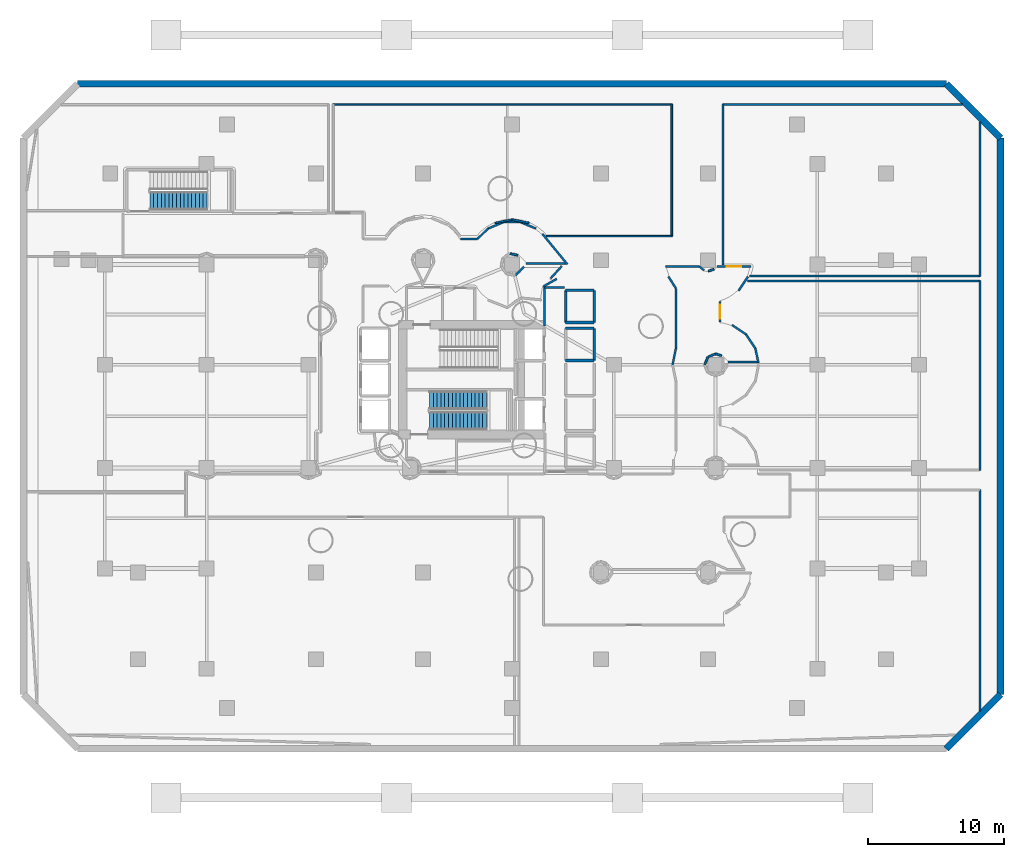
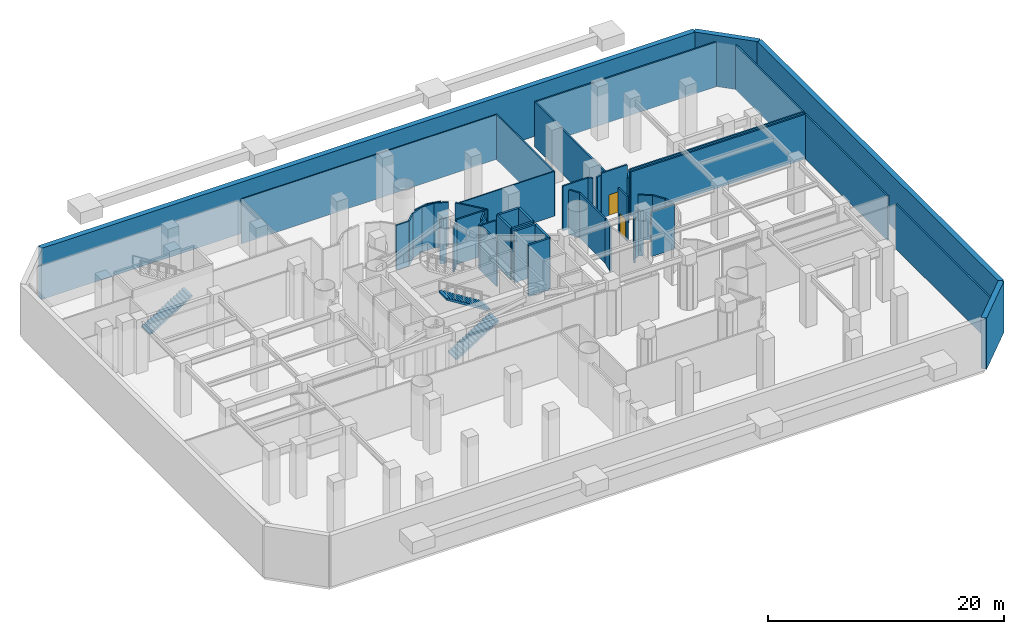
# One storey, part 6 of 11: 52 walls, 3 stair flights, 2 doors, 2 openings, 2 elements without a shape of their own.
"""IFC4 building model written with IfcOpenShell, lengths in metres."""

import ifcopenshell
import ifcopenshell.guid

model = None  # the IFC model being written
_history = None  # IfcOwnerHistory: only IFC2X3 demands one
_inside = {}  # id of a spatial element -> (the spatial element, [elements in it])
_under = {}  # id of a project, library or spatial element -> (it, [spatial elements below it])
_declared = {}  # id of a project -> (the project, [libraries it declares])
_typed = {}  # id of a type object -> (the type object, [elements of that type])
_made_of = {}  # id of a material, layer set ... -> (it, [elements and type objects made of it])


def new_model(schema):
    """Start an empty IFC model of exactly this schema.

    Asked for "IFC4X3", IfcOpenShell would pick the latest addendum, in which some entities
    have other attributes; the version numbers below select the first issue.
    IFC2X3 requires an IfcOwnerHistory on every rooted entity: one is made here for all.
    """
    global model, _history
    if schema == "IFC4X3":
        model = ifcopenshell.file(schema_version=(4, 3, 0, 0))
    else:
        model = ifcopenshell.file(schema=schema)
    _inside.clear()
    _under.clear()
    _declared.clear()
    _typed.clear()
    _made_of.clear()
    _history = None
    if model.schema == "IFC2X3":
        org = make("IfcOrganization", Name="unknown")
        user = make(
            "IfcPersonAndOrganization",
            ThePerson=make("IfcPerson", FamilyName="unknown"),
            TheOrganization=org,
        )
        app = make(
            "IfcApplication",
            ApplicationDeveloper=org,
            Version="unknown",
            ApplicationFullName="unknown",
            ApplicationIdentifier="unknown",
        )
        _history = make(
            "IfcOwnerHistory",
            OwningUser=user,
            OwningApplication=app,
            ChangeAction="ADDED",
            CreationDate=0,
        )
    return model


def make(cls, **values):
    """One entity of the class cls with the attributes given. An attribute that is None is left unset."""
    return model.create_entity(
        cls, **{name: value for name, value in values.items() if value is not None}
    )


def rooted(cls, **values):
    """An entity with a GlobalId (a new one), such as an element, a storey or a relation."""
    return make(cls, GlobalId=ifcopenshell.guid.new(), OwnerHistory=_history, **values)


def si_unit(unit_type, name, prefix=None):
    """IfcSIUnit, for example si_unit("LENGTHUNIT", "METRE", prefix="MILLI")."""
    return make("IfcSIUnit", UnitType=unit_type, Prefix=prefix, Name=name)


def assignment(units):
    """IfcUnitAssignment: the units of a project."""
    return None if units is None else make("IfcUnitAssignment", Units=units)


def point(xyz):
    """IfcCartesianPoint."""
    return None if xyz is None else make("IfcCartesianPoint", Coordinates=xyz)


def direction(xyz):
    """IfcDirection."""
    return None if xyz is None else make("IfcDirection", DirectionRatios=xyz)


def frame(location, z_axis=None, x_axis=None):
    """IfcAxis2Placement3D, a coordinate frame: its origin and axes. An axis left out is left unset."""
    return make(
        "IfcAxis2Placement3D",
        Location=point(location),
        Axis=direction(z_axis),
        RefDirection=direction(x_axis),
    )


def frame_2d(location, x_axis=None):
    """IfcAxis2Placement2D, a coordinate frame in the plane: its origin and x axis."""
    return make(
        "IfcAxis2Placement2D", Location=point(location), RefDirection=direction(x_axis)
    )


def origin():
    """The frame at (0, 0, 0) with its axes left unset."""
    return frame((0.0, 0.0, 0.0))


def place(relative_to, where):
    """IfcLocalPlacement: puts the frame where relative to a parent placement (None: the world)."""
    return make(
        "IfcLocalPlacement", PlacementRelTo=relative_to, RelativePlacement=where
    )


def context(
    kind, dimensions, precision=None, world=None, true_north=None, identifier=None
):
    """IfcGeometricRepresentationContext, for example the 3D "Model" context."""
    return make(
        "IfcGeometricRepresentationContext",
        ContextIdentifier=identifier,
        ContextType=kind,
        CoordinateSpaceDimension=dimensions,
        Precision=precision,
        WorldCoordinateSystem=world,
        TrueNorth=true_north,
    )


def subcontext(parent, identifier, kind, view, scale=None):
    """IfcGeometricRepresentationSubContext, for example "Body" below "Model"."""
    return make(
        "IfcGeometricRepresentationSubContext",
        ContextIdentifier=identifier,
        ContextType=kind,
        ParentContext=parent,
        TargetScale=scale,
        TargetView=view,
    )


def project(units=None, contexts=None):
    """IfcProject with its units and contexts."""
    return rooted(
        "IfcProject",
        Name="project",
        RepresentationContexts=contexts,
        UnitsInContext=assignment(units),
    )


def spatial(cls, under=None, at=None, **own):
    """A site, building, storey or space (cls), placed at a placement, below another one or the project."""
    s = rooted(cls, ObjectPlacement=at, **own)
    if under is not None:
        _under.setdefault(under.id(), (under, []))[1].append(s)
    return s


def polyline(points):
    """IfcPolyline through the points."""
    return make("IfcPolyline", Points=[point(p) for p in points])


def profile(cls, at=None, kind="AREA", **sizes):
    """A parametric profile (cls). Its sizes go by their IFC names, for example OverallWidth=200.0."""
    return make(cls, ProfileType=kind, Position=at, **sizes)


def rectangle(**sizes):
    """IfcRectangleProfileDef."""
    return profile("IfcRectangleProfileDef", **sizes)


def outline(outer, holes=None, kind="AREA"):
    """IfcArbitraryClosedProfileDef: a profile drawn as a closed curve; with holes, ...WithVoids."""
    if holes is None:
        return make("IfcArbitraryClosedProfileDef", ProfileType=kind, OuterCurve=outer)
    return make(
        "IfcArbitraryProfileDefWithVoids",
        ProfileType=kind,
        OuterCurve=outer,
        InnerCurves=holes,
    )


def extrude(swept, where, along, depth):
    """IfcExtrudedAreaSolid: the profile swept, set in the frame where, extruded along a direction by depth."""
    return make(
        "IfcExtrudedAreaSolid",
        SweptArea=swept,
        Position=where,
        ExtrudedDirection=direction(along),
        Depth=depth,
    )


def shape(context_of_items, identifier, shape_type, items):
    """IfcShapeRepresentation: the items that make up one representation, for example the "Body"."""
    return make(
        "IfcShapeRepresentation",
        ContextOfItems=context_of_items,
        RepresentationIdentifier=identifier,
        RepresentationType=shape_type,
        Items=items,
    )


def material(Name=None, Category=None):
    """IfcMaterial."""
    return make("IfcMaterial", Name=Name, Category=Category)


def layer(
    of_material, thickness, ventilated=None, Name=None, Category=None, Priority=None
):
    """IfcMaterialLayer: one layer of a wall or slab, of a material (None: an air gap)."""
    return make(
        "IfcMaterialLayer",
        Material=of_material,
        LayerThickness=thickness,
        IsVentilated=ventilated,
        Name=Name,
        Category=Category,
        Priority=Priority,
    )


def layer_set(layers, Name=None):
    """IfcMaterialLayerSet."""
    return make("IfcMaterialLayerSet", MaterialLayers=layers, LayerSetName=Name)


def made_of(thing, what):
    """Note that an element or type object is made of a material, layer set ...; save() writes the relation."""
    if what is not None:
        _made_of.setdefault(what.id(), (what, []))[1].append(thing)
    return thing


def type_object(cls, material=None, **own):
    """A type object (cls), such as IfcWallType, which elements share."""
    return made_of(rooted(cls, **own), material)


def element(
    cls,
    number,
    at=None,
    inside=None,
    cuts=None,
    type_object=None,
    material=None,
    context=None,
    identifier="Body",
    shape_type=None,
    held_by="IfcProductDefinitionShape",
    body=None,
    shapes=None,
    **own,
):
    """One element of the class cls, such as IfcWall. Its Tag is "e" and its number.

    at: its placement. inside: the storey or other place that contains it. cuts: it is an
    opening in that element (IfcRelVoidsElement). A single representation is given by context,
    identifier, shape_type and body (its items); several are given by shapes. held_by: the class
    of the entity that holds the representations. save() writes the other relations.
    """
    e = rooted(cls, Tag="e%d" % number, ObjectPlacement=at, **own)
    if body is not None:
        shapes = [shape(context, identifier, shape_type, body)]
    if shapes is not None:
        e.Representation = make(held_by, Representations=shapes)
    if inside is not None:
        _inside.setdefault(inside.id(), (inside, []))[1].append(e)
    if cuts is not None:
        rooted(
            "IfcRelVoidsElement", RelatingBuildingElement=cuts, RelatedOpeningElement=e
        )
    if type_object is not None:
        _typed.setdefault(type_object.id(), (type_object, []))[1].append(e)
    return made_of(e, material)


def fill(opening, filler):
    """IfcRelFillsElement: the door or window that sits in an opening."""
    return rooted(
        "IfcRelFillsElement",
        RelatingOpeningElement=opening,
        RelatedBuildingElement=filler,
    )


def aggregate(whole, parts):
    """IfcRelAggregates: a whole, such as a stair, and the parts it consists of."""
    return rooted("IfcRelAggregates", RelatingObject=whole, RelatedObjects=parts)


def save(model, path):
    """Write the relations noted so far, then the file.

    IfcRelAggregates (storeys below a building ...), IfcRelContainedInSpatialStructure (elements
    in a storey), IfcRelDefinesByType, IfcRelAssociatesMaterial and IfcRelDeclares: one each for
    every whole, place, type object, material and project.
    """
    for whole, parts in _under.values():
        aggregate(whole, parts)
    for where, things in _inside.values():
        rooted(
            "IfcRelContainedInSpatialStructure",
            RelatedElements=things,
            RelatingStructure=where,
        )
    for kind, things in _typed.values():
        rooted("IfcRelDefinesByType", RelatedObjects=things, RelatingType=kind)
    for what, things in _made_of.values():
        rooted("IfcRelAssociatesMaterial", RelatedObjects=things, RelatingMaterial=what)
    for by, libraries in _declared.values():
        rooted("IfcRelDeclares", RelatingContext=by, RelatedDefinitions=libraries)
    model.write(path)


model = new_model("IFC4")

# Units and contexts
model_context = context("Model", 3, precision=1e-05, world=origin(), true_north=direction((0.0, 1.0)))
body_context = subcontext(model_context, "Body", "Model", "MODEL_VIEW")
ifc_project = project(units=[si_unit("LENGTHUNIT", "METRE"), si_unit("AREAUNIT", "SQUARE_METRE"), si_unit("VOLUMEUNIT", "CUBIC_METRE"), si_unit("PLANEANGLEUNIT", "RADIAN"), si_unit("MASSUNIT", "GRAM", prefix="KILO")], contexts=[model_context])

# Site, building, storey
site_placement = place(None, origin())
site = spatial("IfcSite", under=ifc_project, at=site_placement, CompositionType="ELEMENT")
building_placement = place(site_placement, origin())
building = spatial("IfcBuilding", under=site, at=building_placement, Name="Qianvela Tower", CompositionType="ELEMENT")
storey_placement = place(building_placement, frame((0.0, 0.0, -5.60009765625)))
storey = spatial("IfcBuildingStorey", under=building, at=storey_placement, Name="B01", CompositionType="ELEMENT", Elevation=-5.60009765625)

# Walls
ifc_material_1 = material(Name="Fire-Rated Acoustic Gypsum Board")
ifc_layer_1 = layer(ifc_material_1, 0.14990234375)
ifc_layer_set_1 = layer_set([ifc_layer_1], Name="Fire-Rated Acoustic Gypsum Board")
wall_type_1 = type_object("IfcWallType", Name="WT-CORR-150", PredefinedType="PARTITIONING", material=ifc_layer_set_1)
wall_1_placement = place(storey_placement, frame((39.910888671875, 32.639892578125, 0.0), z_axis=(0.0, 0.0, 1.0), x_axis=(0.0, 1.0, 0.0)))
element("IfcWall", 1, at=wall_1_placement, inside=storey, type_object=wall_type_1, Name="B01 Partition 14", PredefinedType="PARTITIONING", context=body_context, shape_type="SweptSolid", body=[
    extrude(rectangle(XDim=2.880126953125, YDim=0.14990234375, at=frame_2d((1.43994140625, 0.0))), origin(), (0.0, 0.0, 1.0), 4.6201171875),
])
wall_2_placement = place(storey_placement, frame((39.8798828125, 35.489013671875, 0.0), z_axis=(0.0, 0.0, 1.0), x_axis=(1.0, 0.0, 0.0)))
element("IfcWall", 2, at=wall_2_placement, inside=storey, type_object=wall_type_1, Name="B01 Partition 15", PredefinedType="PARTITIONING", context=body_context, shape_type="SweptSolid", body=[
    extrude(rectangle(XDim=1.480224609375, YDim=0.14990234375, at=frame_2d((0.740234375, 0.0))), origin(), (0.0, 0.0, 1.0), 4.6201171875),
])
wall_3_placement = place(storey_placement, frame((33.711181640625, 39.069091796875, 0.0), z_axis=(0.0, 0.0, 1.0), x_axis=(1.0, 0.0, 0.0)))
element("IfcWall", 3, at=wall_3_placement, inside=storey, type_object=wall_type_1, Name="B01 Partition 44", PredefinedType="PARTITIONING", context=body_context, shape_type="SweptSolid", body=[
    extrude(rectangle(XDim=1.228515625, YDim=0.14990234375, at=frame_2d((0.6142578125, 0.0))), origin(), (0.0, 0.0, 1.0), 4.6201171875),
])
wall_4_placement = place(storey_placement, frame((34.961181640625, 39.077880859375, 0.0), z_axis=(0.0, 0.0, 1.0), x_axis=(0.717212292906, 0.69685473874, 0.0)))
element("IfcWall", 4, at=wall_4_placement, inside=storey, type_object=wall_type_1, Name="B01 Partition 45", PredefinedType="PARTITIONING", context=body_context, shape_type="SweptSolid", body=[
    extrude(rectangle(XDim=1.09130859375, YDim=0.14990234375, at=frame_2d((0.545654296875, 0.0))), origin(), (0.0, 0.0, 1.0), 4.6201171875),
])
wall_5_placement = place(storey_placement, frame((35.73388671875, 39.83203125, 0.0), z_axis=(0.0, 0.0, 1.0), x_axis=(0.92391915299, 0.38258776606, 0.0)))
element("IfcWall", 5, at=wall_5_placement, inside=storey, type_object=wall_type_1, Name="B01 Partition 46", PredefinedType="PARTITIONING", context=body_context, shape_type="SweptSolid", body=[
    extrude(rectangle(XDim=1.248779296875, YDim=0.14990234375, at=frame_2d((0.62451171875, 0.0))), origin(), (0.0, 0.0, 1.0), 4.6201171875),
])
wall_6_placement = place(storey_placement, frame((36.875732421875, 40.3076171875, 0.0), z_axis=(0.0, 0.0, 1.0), x_axis=(1.0, 0.0, 0.0)))
element("IfcWall", 6, at=wall_6_placement, inside=storey, type_object=wall_type_1, Name="B01 Partition 47", PredefinedType="PARTITIONING", context=body_context, shape_type="SweptSolid", body=[
    extrude(rectangle(XDim=1.24853515625, YDim=0.14990234375, at=frame_2d((0.624267578125, 0.0))), origin(), (0.0, 0.0, 1.0), 4.6201171875),
])
wall_7_placement = place(storey_placement, frame((38.1123046875, 40.309814453125, 0.0), z_axis=(0.0, 0.0, 1.0), x_axis=(0.92391915299, -0.38258776606, 0.0)))
element("IfcWall", 7, at=wall_7_placement, inside=storey, type_object=wall_type_1, Name="B01 Partition 48", PredefinedType="PARTITIONING", context=body_context, shape_type="SweptSolid", body=[
    extrude(rectangle(XDim=1.248779296875, YDim=0.14990234375, at=frame_2d((0.62451171875, 0.0))), origin(), (0.0, 0.0, 1.0), 4.6201171875),
])
wall_8_placement = place(storey_placement, frame((39.73876953125, 39.443115234375, 0.0), z_axis=(0.0, 0.0, 1.0), x_axis=(0.634417418508, -0.772990646188, 0.0)))
element("IfcWall", 8, at=wall_8_placement, inside=storey, type_object=wall_type_1, Name="B01 Partition 49", PredefinedType="PARTITIONING", context=body_context, shape_type="SweptSolid", body=[
    extrude(rectangle(XDim=2.894775390625, YDim=0.14990234375, at=frame_2d((1.447265625, 0.0))), origin(), (0.0, 0.0, 1.0), 4.6201171875),
])
wall_9_placement = place(storey_placement, frame((41.59912109375, 37.256103515625, 0.0), z_axis=(0.0, 0.0, 1.0), x_axis=(-0.999996924322, -0.002480190788, 0.0)))
element("IfcWall", 9, at=wall_9_placement, inside=storey, type_object=wall_type_1, Name="B01 Partition 50", PredefinedType="PARTITIONING", context=body_context, shape_type="SweptSolid", body=[
    extrude(rectangle(XDim=3.051513671875, YDim=0.14990234375, at=frame_2d((1.52587890625, 0.0))), origin(), (0.0, 0.0, 1.0), 4.6201171875),
])
wall_10_placement = place(storey_placement, frame((37.933837890625, 37.87060546875, 0.0), z_axis=(0.0, 0.0, 1.0), x_axis=(-0.980787220882, 0.195080566316, 0.0)))
element("IfcWall", 10, at=wall_10_placement, inside=storey, type_object=wall_type_1, Name="B01 Partition 52", PredefinedType="PARTITIONING", context=body_context, shape_type="SweptSolid", body=[
    extrude(rectangle(XDim=0.58935546875, YDim=0.14990234375, at=frame_2d((0.294677734375, 0.0))), origin(), (0.0, 0.0, 1.0), 4.6201171875),
])
wall_11_placement = place(storey_placement, frame((37.760009765625, 36.384765625, 0.0), z_axis=(0.0, 0.0, 1.0), x_axis=(0.700866130058, 0.713292834492, 0.0)))
element("IfcWall", 11, at=wall_11_placement, inside=storey, type_object=wall_type_1, Name="B01 Partition 57", PredefinedType="PARTITIONING", context=body_context, shape_type="SweptSolid", body=[
    extrude(rectangle(XDim=0.884033203125, YDim=0.14990234375, at=frame_2d((0.44189453125, 0.0))), origin(), (0.0, 0.0, 1.0), 4.6201171875),
])
wall_12_placement = place(storey_placement, frame((41.16650390625, 37.06494140625, 0.0), z_axis=(0.0, 0.0, 1.0), x_axis=(-0.671477917818, -0.741024564966, 0.0)))
element("IfcWall", 12, at=wall_12_placement, inside=storey, type_object=wall_type_1, Name="B01 Partition 59", PredefinedType="PARTITIONING", context=body_context, shape_type="SweptSolid", body=[
    extrude(rectangle(XDim=1.211181640625, YDim=0.14990234375, at=frame_2d((0.60546875, 0.0))), origin(), (0.0, 0.0, 1.0), 4.6201171875),
])
wall_13_placement = place(storey_placement, frame((40.797607421875, 36.130615234375, 0.0), z_axis=(0.0, 0.0, 1.0), x_axis=(-0.866890199367, -0.498499129629, 0.0)))
element("IfcWall", 13, at=wall_13_placement, inside=storey, type_object=wall_type_1, Name="B01 Partition 60", PredefinedType="PARTITIONING", context=body_context, shape_type="SweptSolid", body=[
    extrude(rectangle(XDim=1.146484375, YDim=0.14990234375, at=frame_2d((0.5732421875, 0.0))), origin(), (0.0, 0.0, 1.0), 4.6201171875),
])
wall_14_placement = place(storey_placement, frame((49.330322265625, 29.7939453125, 0.0), z_axis=(0.0, 0.0, 1.0), x_axis=(0.198162533944, 0.980169174245, 0.0)))
element("IfcWall", 14, at=wall_14_placement, inside=storey, type_object=wall_type_1, Name="B01 Partition 95", PredefinedType="PARTITIONING", context=body_context, shape_type="SweptSolid", body=[
    extrude(rectangle(XDim=1.261474609375, YDim=0.14990234375, at=frame_2d((0.630859375, 0.0))), origin(), (0.0, 0.0, 1.0), 4.6201171875),
])
wall_15_placement = place(storey_placement, frame((49.5810546875, 31.03662109375, 0.0), z_axis=(0.0, 0.0, 1.0), x_axis=(0.0, 1.0, 0.0)))
element("IfcWall", 15, at=wall_15_placement, inside=storey, type_object=wall_type_1, Name="B01 Partition 96", PredefinedType="PARTITIONING", context=body_context, shape_type="SweptSolid", body=[
    extrude(rectangle(XDim=4.37451171875, YDim=0.14990234375, at=frame_2d((2.187255859375, 0.0))), origin(), (0.0, 0.0, 1.0), 4.6201171875),
])
wall_16_placement = place(storey_placement, frame((49.576171875, 35.427734375, 0.0), z_axis=(0.0, 0.0, 1.0), x_axis=(-0.53759967865, 0.843200204883, 0.0)))
element("IfcWall", 16, at=wall_16_placement, inside=storey, type_object=wall_type_1, Name="B01 Partition 97", PredefinedType="PARTITIONING", context=body_context, shape_type="SweptSolid", body=[
    extrude(rectangle(XDim=1.02490234375, YDim=0.14990234375, at=frame_2d((0.512451171875, 0.0))), origin(), (0.0, 0.0, 1.0), 4.6201171875),
])
wall_17_placement = place(storey_placement, frame((48.798583984375, 37.031982421875, 0.0), z_axis=(0.0, 0.0, 1.0), x_axis=(0.999996824532, 0.002520104433, 0.0)))
element("IfcWall", 17, at=wall_17_placement, inside=storey, type_object=wall_type_1, Name="B01 Partition 99", PredefinedType="PARTITIONING", context=body_context, shape_type="SweptSolid", body=[
    extrude(rectangle(XDim=2.518798828125, YDim=0.14990234375, at=frame_2d((1.25927734375, 0.0))), origin(), (0.0, 0.0, 1.0), 4.6201171875),
])
wall_18_placement = place(storey_placement, frame((51.2978515625, 37.04541015625, 0.0), z_axis=(0.0, 0.0, 1.0), x_axis=(0.774055405467, -0.633117863646, 0.0)))
element("IfcWall", 18, at=wall_18_placement, inside=storey, type_object=wall_type_1, Name="B01 Partition 100", PredefinedType="PARTITIONING", context=body_context, shape_type="SweptSolid", body=[
    extrude(rectangle(XDim=0.443359375, YDim=0.14990234375, at=frame_2d((0.2216796875, 0.0))), origin(), (0.0, 0.0, 1.0), 4.6201171875),
])
wall_19_placement = place(storey_placement, frame((51.96435546875, 36.7001953125, 0.0), z_axis=(0.0, 0.0, 1.0), x_axis=(0.956858887343, 0.290553041134, 0.0)))
element("IfcWall", 19, at=wall_19_placement, inside=storey, type_object=wall_type_1, Name="B01 Partition 101", PredefinedType="PARTITIONING", context=body_context, shape_type="SweptSolid", body=[
    extrude(rectangle(XDim=0.447021484375, YDim=0.14990234375, at=frame_2d((0.2236328125, 0.0))), origin(), (0.0, 0.0, 1.0), 4.6201171875),
])

# Wall, opening, door
wall_20_placement = place(storey_placement, frame((52.595947265625, 37.04150390625, 0.0), z_axis=(0.0, 0.0, 1.0), x_axis=(0.999996822684, 0.002520837443, 0.0)))
wall_20 = element("IfcWall", 20, at=wall_20_placement, inside=storey, type_object=wall_type_1, Name="B01 Partition 102", PredefinedType="PARTITIONING", context=body_context, shape_type="SweptSolid", body=[
    extrude(rectangle(XDim=2.51806640625, YDim=0.14990234375, at=frame_2d((1.259033203125, 0.0))), origin(), (0.0, 0.0, 1.0), 4.6201171875),
])
opening_1_placement = place(wall_20_placement, frame((0.734130859375, 0.0, 0.0)))
opening_1 = element("IfcOpeningElement", 21, at=opening_1_placement, cuts=wall_20, Name="Opening D-PL1", PredefinedType="OPENING", context=body_context, shape_type="SweptSolid", body=[
    extrude(rectangle(XDim=1.050048828125, YDim=2.14990234375, at=frame_2d((0.52490234375, 1.074951171875))), frame((0.0, 0.0849609375, 0.0), z_axis=(0.0, -1.0, 0.0), x_axis=(1.0, 0.0, 0.0)), (0.0, 0.0, 1.0), 0.169921875),
])
ifc_material_2 = material(Name="Insulated Steel Fire Door Q355B", Category="steel")
door_type = type_object("IfcDoorType", Name="DT-PLANT-FD90", OperationType="NOTDEFINED", PredefinedType="DOOR", material=ifc_material_2)
door_1_placement = place(opening_1_placement, origin())
door_1 = element("IfcDoor", 22, at=door_1_placement, inside=storey, type_object=door_type, Name="B01 Door B01 Basement Smoke Make-Up Air Fan Room to B01 Plant and Bicycle Corridor", OperationType="SINGLE_SWING_RIGHT", OverallHeight=2.14990234375, OverallWidth=1.050048828125, PredefinedType="DOOR", context=body_context, shape_type="SweptSolid", body=[
    extrude(rectangle(XDim=1.050048828125, YDim=2.14990234375, at=frame_2d((0.52490234375, 1.074951171875))), frame((0.0, 0.02490234375, 0.0), z_axis=(0.0, -1.0, 0.0), x_axis=(1.0, 0.0, 0.0)), (0.0, 0.0, 1.0), 0.050048828125),
])
fill(opening_1, door_1)

# Wall
wall_21_placement = place(storey_placement, frame((54.885986328125, 36.29248046875, 0.0), z_axis=(0.0, 0.0, 1.0), x_axis=(-0.555557312883, -0.831478245117, 0.0)))
element("IfcWall", 23, at=wall_21_placement, inside=storey, type_object=wall_type_1, Name="B01 Partition 104", PredefinedType="PARTITIONING", context=body_context, shape_type="SweptSolid", body=[
    extrude(rectangle(XDim=1.24853515625, YDim=0.14990234375, at=frame_2d((0.624267578125, 0.0))), origin(), (0.0, 0.0, 1.0), 4.6201171875),
])

# Wall, opening, door
wall_22_placement = place(storey_placement, frame((52.819091796875, 34.443603515625, 0.0), z_axis=(0.0, 0.0, 1.0), x_axis=(0.0, -1.0, 0.0)))
wall_22 = element("IfcWall", 24, at=wall_22_placement, inside=storey, type_object=wall_type_1, Name="B01 Partition 106", PredefinedType="PARTITIONING", context=body_context, shape_type="SweptSolid", body=[
    extrude(rectangle(XDim=1.47802734375, YDim=0.14990234375, at=frame_2d((0.739013671875, 0.0))), origin(), (0.0, 0.0, 1.0), 4.6201171875),
])
opening_2_placement = place(wall_22_placement, frame((0.214111328125, 0.0, 0.0)))
opening_2 = element("IfcOpeningElement", 25, at=opening_2_placement, cuts=wall_22, Name="Opening D-PL1", PredefinedType="OPENING", context=body_context, shape_type="SweptSolid", body=[
    extrude(rectangle(XDim=1.050048828125, YDim=2.14990234375, at=frame_2d((0.52490234375, 1.074951171875))), frame((0.0, 0.0849609375, 0.0), z_axis=(0.0, -1.0, 0.0), x_axis=(1.0, 0.0, 0.0)), (0.0, 0.0, 1.0), 0.169921875),
])
door_2_placement = place(opening_2_placement, origin())
door_2 = element("IfcDoor", 26, at=door_2_placement, inside=storey, type_object=door_type, Name="B01 Door B01 Domestic Cold Water Booster Pump Room to B01 Plant and Bicycle Corridor", OperationType="SINGLE_SWING_LEFT", OverallHeight=2.14990234375, OverallWidth=1.050048828125, PredefinedType="DOOR", context=body_context, shape_type="SweptSolid", body=[
    extrude(rectangle(XDim=1.050048828125, YDim=2.14990234375, at=frame_2d((0.52490234375, 1.074951171875))), frame((0.0, 0.02490234375, 0.0), z_axis=(0.0, -1.0, 0.0), x_axis=(1.0, 0.0, 0.0)), (0.0, 0.0, 1.0), 0.050048828125),
])
fill(opening_2, door_2)

# Walls
for number, where, z_axis, x_axis, name in (
    (27, (53.70751953125, 32.730712890625, 0.0), (0.0, 0.0, 1.0), (0.831478245117, -0.555557312883, 0.0), "B01 Partition 108"),
    (28, (54.737060546875, 32.04541015625, 0.0), (0.0, 0.0, 1.0), (0.555557312883, -0.831478245117, 0.0), "B01 Partition 109"),
):
    element("IfcWall", number, at=place(storey_placement, frame(where, z_axis=z_axis, x_axis=x_axis)), inside=storey, type_object=wall_type_1, Name=name, PredefinedType="PARTITIONING", context=body_context, shape_type="SweptSolid", body=[
        extrude(rectangle(XDim=1.24853515625, YDim=0.14990234375, at=frame_2d((0.624267578125, 0.0))), origin(), (0.0, 0.0, 1.0), 4.6201171875),
    ])
wall_23_placement = place(storey_placement, frame((55.426025390625, 31.01806640625, 0.0), z_axis=(0.0, 0.0, 1.0), x_axis=(0.210629490676, -0.977565965885, 0.0)))
element("IfcWall", 29, at=wall_23_placement, inside=storey, type_object=wall_type_1, Name="B01 Partition 110", PredefinedType="PARTITIONING", context=body_context, shape_type="SweptSolid", body=[
    extrude(rectangle(XDim=1.07568359375, YDim=0.14990234375, at=frame_2d((0.537841796875, 0.0))), origin(), (0.0, 0.0, 1.0), 4.6201171875),
])
wall_24_placement = place(storey_placement, frame((55.682861328125, 30.004150390625, 0.0), z_axis=(0.0, 0.0, 1.0), x_axis=(-0.99999670426, -0.002567385634, 0.0)))
element("IfcWall", 30, at=wall_24_placement, inside=storey, type_object=wall_type_1, Name="B01 Partition 111", PredefinedType="PARTITIONING", context=body_context, shape_type="SweptSolid", body=[
    extrude(rectangle(XDim=2.2822265625, YDim=0.14990234375, at=frame_2d((1.14111328125, 0.0))), origin(), (0.0, 0.0, 1.0), 4.6201171875),
])
wall_25_placement = place(storey_placement, frame((52.936767578125, 30.469970703125, 0.0), z_axis=(0.0, 0.0, 1.0), x_axis=(-0.957010621041, 0.290052876583, 0.0)))
element("IfcWall", 31, at=wall_25_placement, inside=storey, type_object=wall_type_1, Name="B01 Partition 112", PredefinedType="PARTITIONING", context=body_context, shape_type="SweptSolid", body=[
    extrude(rectangle(XDim=0.447021484375, YDim=0.14990234375, at=frame_2d((0.2236328125, 0.0))), origin(), (0.0, 0.0, 1.0), 4.6201171875),
])
wall_26_placement = place(storey_placement, frame((52.488037109375, 30.5986328125, 0.0), z_axis=(0.0, 0.0, 1.0), x_axis=(-0.923835035561, -0.382790839847, 0.0)))
element("IfcWall", 32, at=wall_26_placement, inside=storey, type_object=wall_type_1, Name="B01 Partition 113", PredefinedType="PARTITIONING", context=body_context, shape_type="SweptSolid", body=[
    extrude(rectangle(XDim=0.58935546875, YDim=0.14990234375, at=frame_2d((0.294677734375, 0.0))), origin(), (0.0, 0.0, 1.0), 4.6201171875),
])
wall_27_placement = place(storey_placement, frame((51.927001953125, 30.356201171875, 0.0), z_axis=(0.0, 0.0, 1.0), x_axis=(-0.382937393786, -0.923774297348, 0.0)))
element("IfcWall", 33, at=wall_27_placement, inside=storey, type_object=wall_type_1, Name="B01 Partition 114", PredefinedType="PARTITIONING", context=body_context, shape_type="SweptSolid", body=[
    extrude(rectangle(XDim=0.589111328125, YDim=0.14990234375, at=frame_2d((0.29443359375, 0.0))), origin(), (0.0, 0.0, 1.0), 4.6201171875),
])
wall_28_placement = place(storey_placement, frame((54.8349609375, 35.968994140625, 0.0), z_axis=(0.0, 0.0, 1.0), x_axis=(1.0, 0.0, 0.0)))
element("IfcWall", 34, at=wall_28_placement, inside=storey, type_object=wall_type_1, Name="B01 Partition 226", PredefinedType="PARTITIONING", context=body_context, shape_type="SweptSolid", body=[
    extrude(rectangle(XDim=17.1650390625, YDim=0.14990234375, at=frame_2d((8.58251953125, 0.0))), origin(), (0.0, 0.0, 1.0), 4.6201171875),
])
wall_29_placement = place(storey_placement, frame((71.968994140625, 36.0, 0.0), z_axis=(0.0, 0.0, 1.0), x_axis=(0.0, -1.0, 0.0)))
element("IfcWall", 35, at=wall_29_placement, inside=storey, type_object=wall_type_1, Name="B01 Partition 227", PredefinedType="PARTITIONING", context=body_context, shape_type="SweptSolid", body=[
    extrude(rectangle(XDim=14.0, YDim=0.14990234375, at=frame_2d((7.0, 0.0))), origin(), (0.0, 0.0, 1.0), 4.6201171875),
])
wall_30_placement = place(storey_placement, frame((53.0, 48.968994140625, 0.0), z_axis=(0.0, 0.0, 1.0), x_axis=(1.0, 0.0, 0.0)))
element("IfcWall", 36, at=wall_30_placement, inside=storey, type_object=wall_type_1, Name="B01 Partition 228", PredefinedType="PARTITIONING", context=body_context, shape_type="SweptSolid", body=[
    extrude(rectangle(XDim=17.6943359375, YDim=0.14990234375, at=frame_2d((8.84716796875, 0.0))), origin(), (0.0, 0.0, 1.0), 4.6201171875),
])
wall_31_placement = place(storey_placement, frame((71.968994140625, 47.6943359375, 0.0), z_axis=(0.0, 0.0, 1.0), x_axis=(0.0, -1.0, 0.0)))
element("IfcWall", 37, at=wall_31_placement, inside=storey, type_object=wall_type_1, Name="B01 Partition 230", PredefinedType="PARTITIONING", context=body_context, shape_type="SweptSolid", body=[
    extrude(rectangle(XDim=11.394287109375, YDim=0.14990234375, at=frame_2d((5.697265625, 0.0))), origin(), (0.0, 0.0, 1.0), 4.6201171875),
])
wall_32_placement = place(storey_placement, frame((72.0, 36.3310546875, 0.0), z_axis=(0.0, 0.0, 1.0), x_axis=(-1.0, 0.0, 0.0)))
element("IfcWall", 38, at=wall_32_placement, inside=storey, type_object=wall_type_1, Name="B01 Partition 231", PredefinedType="PARTITIONING", context=body_context, shape_type="SweptSolid", body=[
    extrude(rectangle(XDim=17.015869140625, YDim=0.14990234375, at=frame_2d((8.5078125, 0.0))), origin(), (0.0, 0.0, 1.0), 4.6201171875),
])
wall_33_placement = place(storey_placement, frame((53.031005859375, 37.135498046875, 0.0), z_axis=(0.0, 0.0, 1.0), x_axis=(0.0, 1.0, 0.0)))
element("IfcWall", 39, at=wall_33_placement, inside=storey, type_object=wall_type_1, Name="B01 Partition 233", PredefinedType="PARTITIONING", context=body_context, shape_type="SweptSolid", body=[
    extrude(rectangle(XDim=11.864501953125, YDim=0.14990234375, at=frame_2d((5.93212890625, 0.0))), origin(), (0.0, 0.0, 1.0), 4.6201171875),
])
wall_34_placement = place(storey_placement, frame((71.968994140625, 20.60009765625, 0.0), z_axis=(0.0, 0.0, 1.0), x_axis=(0.0, -1.0, 0.0)))
element("IfcWall", 40, at=wall_34_placement, inside=storey, type_object=wall_type_1, Name="B01 Partition 234", PredefinedType="PARTITIONING", context=body_context, shape_type="SweptSolid", body=[
    extrude(rectangle(XDim=16.29443359375, YDim=0.14990234375, at=frame_2d((8.147216796875, 0.0))), origin(), (0.0, 0.0, 1.0), 4.6201171875),
])
ifc_material_3 = material(Name="Lightweight Gypsum Room Partition")
ifc_layer_2 = layer(ifc_material_3, 0.10498046875)
ifc_layer_set_2 = layer_set([ifc_layer_2], Name="Lightweight Gypsum Room Partition")
wall_type_2 = type_object("IfcWallType", Name="WT-PART-105", PredefinedType="PARTITIONING", material=ifc_layer_set_2)
wall_35_placement = place(storey_placement, frame((49.300048828125, 39.281005859375, 0.0), z_axis=(0.0, 0.0, 1.0), x_axis=(-1.0, 0.0, 0.0)))
element("IfcWall", 41, at=wall_35_placement, inside=storey, type_object=wall_type_2, Name="B01 Partition 272", PredefinedType="PARTITIONING", context=body_context, shape_type="SweptSolid", body=[
    extrude(rectangle(XDim=9.282470703125, YDim=0.10498046875, at=frame_2d((4.64111328125, 0.0))), origin(), (0.0, 0.0, 1.0), 4.6201171875),
])
wall_36_placement = place(storey_placement, frame((24.300048828125, 48.968994140625, 0.0), z_axis=(0.0, 0.0, 1.0), x_axis=(1.0, 0.0, 0.0)))
element("IfcWall", 42, at=wall_36_placement, inside=storey, type_object=wall_type_2, Name="B01 Partition 284", PredefinedType="PARTITIONING", context=body_context, shape_type="SweptSolid", body=[
    extrude(rectangle(XDim=25.0, YDim=0.10498046875, at=frame_2d((12.5, 0.0))), origin(), (0.0, 0.0, 1.0), 4.6201171875),
])
ifc_material_4 = material(Name="Insulated Gypsum Stud Partition")
ifc_layer_3 = layer(ifc_material_4, 0.1201171875)
ifc_layer_set_3 = layer_set([ifc_layer_3], Name="Insulated Gypsum Stud Partition")
wall_type_3 = type_object("IfcWallType", Name="WT-PART-120", PredefinedType="PARTITIONING", material=ifc_layer_set_3)
wall_37_placement = place(storey_placement, frame((37.493896484375, 40.492431640625, 0.0), z_axis=(0.0, 0.0, 1.0), x_axis=(-0.9805512928, -0.196262992406, 0.0)))
element("IfcWall", 43, at=wall_37_placement, inside=storey, type_object=wall_type_3, Name="B01 Partition 274", PredefinedType="PARTITIONING", context=body_context, shape_type="SweptSolid", body=[
    extrude(rectangle(XDim=1.27880859375, YDim=0.1201171875, at=frame_2d((0.639404296875, 0.0))), origin(), (0.0, 0.0, 1.0), 4.6201171875),
])
ifc_material_5 = material(Name="Waterproof Concrete C50", Category="concrete")
ifc_layer_4 = layer(ifc_material_5, 0.5)
ifc_layer_set_4 = layer_set([ifc_layer_4], Name="Waterproof Concrete C50")
wall_type_4 = type_object("IfcWallType", Name="WT-RET-500", PredefinedType="SOLIDWALL", material=ifc_layer_set_4)
wall_38_placement = place(storey_placement, frame((69.5, 1.5, 0.0), z_axis=(0.0, 0.0, 1.0), x_axis=(0.707106781187, 0.707106781187, 0.0)))
element("IfcWall", 44, at=wall_38_placement, inside=storey, type_object=wall_type_4, Name="B01 Perimeter Diaphragm Retaining Wall 2", PredefinedType="SOLIDWALL", context=body_context, shape_type="SweptSolid", body=[
    extrude(rectangle(XDim=5.65673828125, YDim=0.5, at=frame_2d((2.828369140625, 0.0))), origin(), (0.0, 0.0, 1.0), 5.300048828125),
])
wall_39_placement = place(storey_placement, frame((73.5, 5.5, 0.0), z_axis=(0.0, 0.0, 1.0), x_axis=(0.0, 1.0, 0.0)))
element("IfcWall", 45, at=wall_39_placement, inside=storey, type_object=wall_type_4, Name="B01 Perimeter Diaphragm Retaining Wall 3", PredefinedType="SOLIDWALL", context=body_context, shape_type="SweptSolid", body=[
    extrude(rectangle(XDim=41.0, YDim=0.5, at=frame_2d((20.5, 0.0))), origin(), (0.0, 0.0, 1.0), 5.300048828125),
])
wall_40_placement = place(storey_placement, frame((73.5, 46.5, 0.0), z_axis=(0.0, 0.0, 1.0), x_axis=(-0.707106781187, 0.707106781187, 0.0)))
element("IfcWall", 46, at=wall_40_placement, inside=storey, type_object=wall_type_4, Name="B01 Perimeter Diaphragm Retaining Wall 4", PredefinedType="SOLIDWALL", context=body_context, shape_type="SweptSolid", body=[
    extrude(rectangle(XDim=5.65673828125, YDim=0.5, at=frame_2d((2.828369140625, 0.0))), origin(), (0.0, 0.0, 1.0), 5.300048828125),
])
wall_41_placement = place(storey_placement, frame((69.5, 50.5, 0.0), z_axis=(0.0, 0.0, 1.0), x_axis=(-1.0, 0.0, 0.0)))
element("IfcWall", 47, at=wall_41_placement, inside=storey, type_object=wall_type_4, Name="B01 Perimeter Diaphragm Retaining Wall 5", PredefinedType="SOLIDWALL", context=body_context, shape_type="SweptSolid", body=[
    extrude(rectangle(XDim=64.0, YDim=0.5, at=frame_2d((32.0, 0.0))), origin(), (0.0, 0.0, 1.0), 5.300048828125),
])
ifc_material_6 = material(Name="Acoustic Double Gypsum Stud Partition")
ifc_layer_5 = layer(ifc_material_6, 0.139892578125)
ifc_layer_set_5 = layer_set([ifc_layer_5], Name="Acoustic Double Gypsum Stud Partition")
wall_type_5 = type_object("IfcWallType", Name="WT-ROOM-140", PredefinedType="PARTITIONING", material=ifc_layer_set_5)
wall_42_placement = place(storey_placement, frame((38.760009765625, 40.241455078125, 0.0), z_axis=(0.0, 0.0, 1.0), x_axis=(-0.9805512928, 0.196262992406, 0.0)))
element("IfcWall", 48, at=wall_42_placement, inside=storey, type_object=wall_type_5, Name="B01 Partition 273", PredefinedType="PARTITIONING", context=body_context, shape_type="SweptSolid", body=[
    extrude(rectangle(XDim=1.27880859375, YDim=0.139892578125, at=frame_2d((0.639404296875, 0.0))), origin(), (0.0, 0.0, 1.0), 4.6201171875),
])
wall_43_placement = place(storey_placement, frame((49.26904296875, 49.0, 0.0), z_axis=(0.0, 0.0, 1.0), x_axis=(0.0, -1.0, 0.0)))
element("IfcWall", 49, at=wall_43_placement, inside=storey, type_object=wall_type_5, Name="B01 Partition 285", PredefinedType="PARTITIONING", context=body_context, shape_type="SweptSolid", body=[
    extrude(rectangle(XDim=9.75, YDim=0.139892578125, at=frame_2d((4.875, 0.0))), origin(), (0.0, 0.0, 1.0), 4.6201171875),
])
ifc_material_7 = material(Name="Concrete C50", Category="concrete")
ifc_layer_6 = layer(ifc_material_7, 0.199951171875)
ifc_layer_set_6 = layer_set([ifc_layer_6], Name="Concrete C50")
wall_type_6 = type_object("IfcWallType", Name="WT-SHAFT-200", PredefinedType="SOLIDWALL", material=ifc_layer_set_6)
wall_44_placement = place(storey_placement, frame((43.550048828125, 30.1201171875, 0.0), z_axis=(0.0, 0.0, 1.0), x_axis=(0.0, 1.0, 0.0)))
element("IfcWall", 50, at=wall_44_placement, inside=storey, type_object=wall_type_6, Name="B01 Lift PL-M1 E Shaft Wall", PredefinedType="SOLIDWALL", context=body_context, shape_type="SweptSolid", body=[
    extrude(rectangle(XDim=2.35986328125, YDim=0.199951171875, at=frame_2d((1.179931640625, 0.0))), origin(), (0.0, 0.0, 1.0), 5.300048828125),
])
for number, where, z_axis, x_axis, name in (
    (51, (41.449951171875, 32.47998046875, 0.0), (0.0, 0.0, 1.0), (1.0, 0.0, 0.0), "B01 Lift PL-M1 N Shaft Wall"),
    (52, (41.449951171875, 30.1201171875, 0.0), (0.0, 0.0, 1.0), (1.0, 0.0, 0.0), "B01 Lift PL-M1 S Shaft Wall"),
):
    element("IfcWall", number, at=place(storey_placement, frame(where, z_axis=z_axis, x_axis=x_axis)), inside=storey, type_object=wall_type_6, Name=name, PredefinedType="SOLIDWALL", context=body_context, shape_type="SweptSolid", body=[
        extrude(rectangle(XDim=2.10009765625, YDim=0.199951171875, at=frame_2d((1.050048828125, 0.0))), origin(), (0.0, 0.0, 1.0), 5.300048828125),
    ])
for number, where, z_axis, x_axis, name in (
    (53, (43.550048828125, 32.919921875, 0.0), (0.0, 0.0, 1.0), (0.0, 1.0, 0.0), "B01 Lift PL-H3 E Shaft Wall"),
    (54, (41.449951171875, 32.919921875, 0.0), (0.0, 0.0, 1.0), (0.0, 1.0, 0.0), "B01 Lift PL-H3 W Shaft Wall"),
):
    element("IfcWall", number, at=place(storey_placement, frame(where, z_axis=z_axis, x_axis=x_axis)), inside=storey, type_object=wall_type_6, Name=name, PredefinedType="SOLIDWALL", context=body_context, shape_type="SweptSolid", body=[
        extrude(rectangle(XDim=2.360107421875, YDim=0.199951171875, at=frame_2d((1.18017578125, 0.0))), origin(), (0.0, 0.0, 1.0), 5.300048828125),
    ])
for number, where, z_axis, x_axis, name in (
    (55, (41.449951171875, 35.280029296875, 0.0), (0.0, 0.0, 1.0), (1.0, 0.0, 0.0), "B01 Lift PL-H3 N Shaft Wall"),
    (56, (41.449951171875, 32.919921875, 0.0), (0.0, 0.0, 1.0), (1.0, 0.0, 0.0), "B01 Lift PL-H3 S Shaft Wall"),
):
    element("IfcWall", number, at=place(storey_placement, frame(where, z_axis=z_axis, x_axis=x_axis)), inside=storey, type_object=wall_type_6, Name=name, PredefinedType="SOLIDWALL", context=body_context, shape_type="SweptSolid", body=[
        extrude(rectangle(XDim=2.10009765625, YDim=0.199951171875, at=frame_2d((1.050048828125, 0.0))), origin(), (0.0, 0.0, 1.0), 5.300048828125),
    ])

# Stair, stair flights
ifc_material_8 = material(Name="Concrete C40", Category="concrete")
stair_type = type_object("IfcStairType", Name="ST-DOGLEG-1350-R175-N32", PredefinedType="HALF_TURN_STAIR", material=ifc_material_8)
stair_1_placement = place(storey_placement, origin())
stair_1 = element("IfcStair", 57, at=stair_1_placement, inside=storey, type_object=stair_type, Name="B01 Smoke-Proof Core Stair ST-2", PredefinedType="HALF_TURN_STAIR")
ifc_material_9 = material(Name="Concrete C40", Category="concrete")
stair_flight_type = type_object("IfcStairFlightType", Name="STF-STRAIGHT-R175-P16", PredefinedType="STRAIGHT", material=ifc_material_9)
stair_flight_1_placement = place(storey_placement, frame((31.419921875, 25.675048828125, 0.0), z_axis=(0.0, 0.0, 1.0), x_axis=(1.0, 0.0, 0.0)))
stair_flight_1 = element("IfcStairFlight", 58, at=stair_flight_1_placement, type_object=stair_flight_type, Name="ST-2 flight 1", NumberOfRisers=16, NumberOfTreads=15, PredefinedType="STRAIGHT", RiserHeight=0.175, TreadLength=0.28, context=body_context, shape_type="SweptSolid", body=[
    extrude(outline(polyline([(0.0, 0.0), (0.0, 0.175048828125), (0.280029296875, 0.175048828125), (0.280029296875, 0.35009765625), (0.56005859375, 0.35009765625), (0.56005859375, 0.52490234375), (0.840087890625, 0.52490234375), (0.840087890625, 0.699951171875), (1.1201171875, 0.699951171875), (1.1201171875, 0.875), (1.39990234375, 0.875), (1.39990234375, 1.050048828125), (1.679931640625, 1.050048828125), (1.679931640625, 1.22509765625), (1.9599609375, 1.22509765625), (1.9599609375, 1.39990234375), (2.239990234375, 1.39990234375), (2.239990234375, 1.574951171875), (2.52001953125, 1.574951171875), (2.52001953125, 1.75), (2.800048828125, 1.75), (2.800048828125, 1.925048828125), (3.080078125, 1.925048828125), (3.080078125, 2.10009765625), (3.360107421875, 2.10009765625), (3.360107421875, 2.27490234375), (3.639892578125, 2.27490234375), (3.639892578125, 2.449951171875), (3.919921875, 2.449951171875), (3.919921875, 2.625), (4.199951171875, 2.625), (4.199951171875, 2.800048828125), (4.199951171875, 2.4482421875), (0.28271484375, 0.0), (0.0, 0.0)])), frame((0.0, 0.675048828125, 0.0), z_axis=(0.0, -1.0, 0.0), x_axis=(1.0, 0.0, 0.0)), (0.0, 0.0, 1.0), 1.35009765625),
])
stair_flight_2_placement = place(storey_placement, frame((35.6201171875, 27.18505859375, 2.800048828125), z_axis=(0.0, 0.0, 1.0), x_axis=(-1.0, 0.0, 0.0)))
stair_flight_2 = element("IfcStairFlight", 59, at=stair_flight_2_placement, type_object=stair_flight_type, Name="ST-2 flight 2", NumberOfRisers=16, NumberOfTreads=15, PredefinedType="STRAIGHT", RiserHeight=0.175, TreadLength=0.28, context=body_context, shape_type="SweptSolid", body=[
    extrude(outline(polyline([(0.0, 0.0), (0.0, 0.175048828125), (0.280029296875, 0.175048828125), (0.280029296875, 0.35009765625), (0.56005859375, 0.35009765625), (0.56005859375, 0.52490234375), (0.840087890625, 0.52490234375), (0.840087890625, 0.699951171875), (1.1201171875, 0.699951171875), (1.1201171875, 0.875), (1.39990234375, 0.875), (1.39990234375, 1.050048828125), (1.679931640625, 1.050048828125), (1.679931640625, 1.22509765625), (1.9599609375, 1.22509765625), (1.9599609375, 1.39990234375), (2.239990234375, 1.39990234375), (2.239990234375, 1.574951171875), (2.52001953125, 1.574951171875), (2.52001953125, 1.75), (2.800048828125, 1.75), (2.800048828125, 1.925048828125), (3.080078125, 1.925048828125), (3.080078125, 2.10009765625), (3.360107421875, 2.10009765625), (3.360107421875, 2.27490234375), (3.639892578125, 2.27490234375), (3.639892578125, 2.449951171875), (3.919921875, 2.449951171875), (3.919921875, 2.625), (4.199951171875, 2.625), (4.199951171875, 2.800048828125), (4.199951171875, 2.4482421875), (0.28271484375, 0.0), (0.0, 0.0)])), frame((0.0, 0.675048828125, 0.0), z_axis=(0.0, -1.0, 0.0), x_axis=(1.0, 0.0, 0.0)), (0.0, 0.0, 1.0), 1.35009765625),
])
aggregate(stair_1, [stair_flight_1, stair_flight_2])

# Stair, stair flight
stair_2_placement = place(storey_placement, origin())
stair_2 = element("IfcStair", 60, at=stair_2_placement, inside=storey, type_object=stair_type, Name="B01 Smoke-Proof Core Stair ST-3", PredefinedType="HALF_TURN_STAIR")
stair_flight_3_placement = place(storey_placement, frame((10.820068359375, 41.875, 0.0), z_axis=(0.0, 0.0, 1.0), x_axis=(1.0, 0.0, 0.0)))
stair_flight_3 = element("IfcStairFlight", 61, at=stair_flight_3_placement, type_object=stair_flight_type, Name="ST-3 flight 1", NumberOfRisers=16, NumberOfTreads=15, PredefinedType="STRAIGHT", RiserHeight=0.175, TreadLength=0.28, context=body_context, shape_type="SweptSolid", body=[
    extrude(outline(polyline([(0.0, 0.0), (0.0, 0.175048828125), (0.280029296875, 0.175048828125), (0.280029296875, 0.35009765625), (0.56005859375, 0.35009765625), (0.56005859375, 0.52490234375), (0.840087890625, 0.52490234375), (0.840087890625, 0.699951171875), (1.1201171875, 0.699951171875), (1.1201171875, 0.875), (1.39990234375, 0.875), (1.39990234375, 1.050048828125), (1.679931640625, 1.050048828125), (1.679931640625, 1.22509765625), (1.9599609375, 1.22509765625), (1.9599609375, 1.39990234375), (2.239990234375, 1.39990234375), (2.239990234375, 1.574951171875), (2.52001953125, 1.574951171875), (2.52001953125, 1.75), (2.800048828125, 1.75), (2.800048828125, 1.925048828125), (3.080078125, 1.925048828125), (3.080078125, 2.10009765625), (3.360107421875, 2.10009765625), (3.360107421875, 2.27490234375), (3.639892578125, 2.27490234375), (3.639892578125, 2.449951171875), (3.919921875, 2.449951171875), (3.919921875, 2.625), (4.199951171875, 2.625), (4.199951171875, 2.800048828125), (4.199951171875, 2.4482421875), (0.28271484375, 0.0), (0.0, 0.0)])), frame((0.0, 0.675048828125, 0.0), z_axis=(0.0, -1.0, 0.0), x_axis=(1.0, 0.0, 0.0)), (0.0, 0.0, 1.0), 1.35009765625),
])
aggregate(stair_2, [stair_flight_3])

save(model, "model.ifc")
